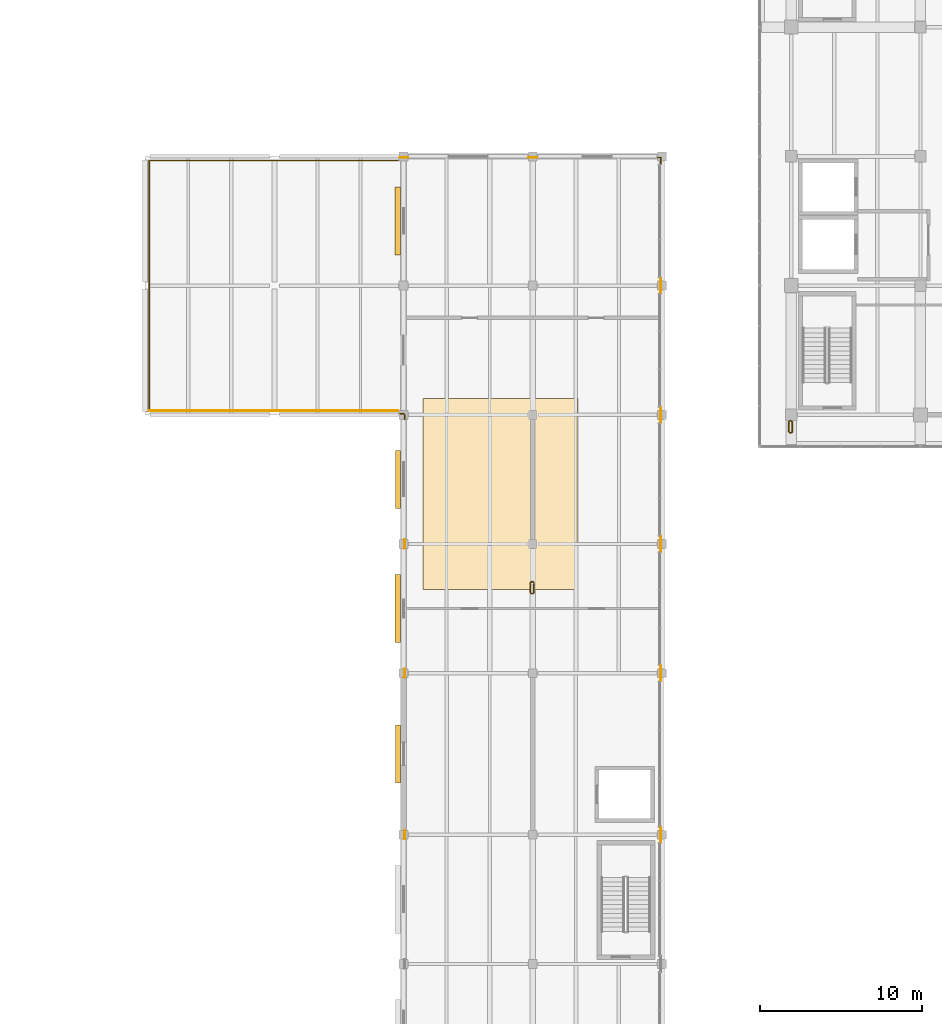
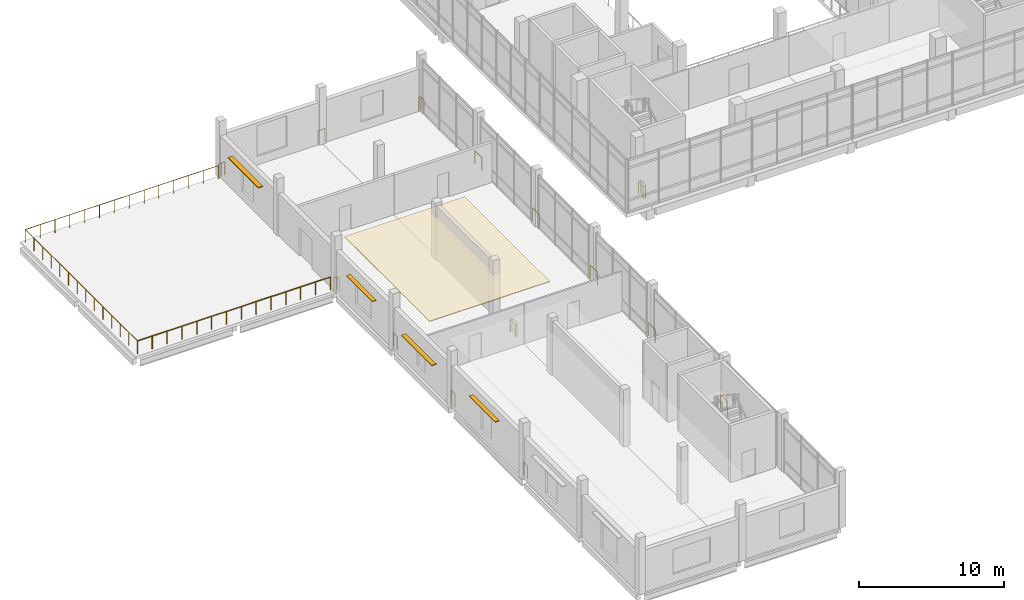
# One storey, part 41 of 47: 16 railings, 4 shading devices, 1 covering.
"""IFC4 building model written with IfcOpenShell, lengths in metres."""

import ifcopenshell
import ifcopenshell.guid

model = None  # the IFC model being written
_history = None  # IfcOwnerHistory: only IFC2X3 demands one
_inside = {}  # id of a spatial element -> (the spatial element, [elements in it])
_under = {}  # id of a project, library or spatial element -> (it, [spatial elements below it])
_declared = {}  # id of a project -> (the project, [libraries it declares])
_typed = {}  # id of a type object -> (the type object, [elements of that type])
_made_of = {}  # id of a material, layer set ... -> (it, [elements and type objects made of it])


def new_model(schema):
    """Start an empty IFC model of exactly this schema.

    Asked for "IFC4X3", IfcOpenShell would pick the latest addendum, in which some entities
    have other attributes; the version numbers below select the first issue.
    IFC2X3 requires an IfcOwnerHistory on every rooted entity: one is made here for all.
    """
    global model, _history
    if schema == "IFC4X3":
        model = ifcopenshell.file(schema_version=(4, 3, 0, 0))
    else:
        model = ifcopenshell.file(schema=schema)
    _inside.clear()
    _under.clear()
    _declared.clear()
    _typed.clear()
    _made_of.clear()
    _history = None
    if model.schema == "IFC2X3":
        org = make("IfcOrganization", Name="unknown")
        user = make(
            "IfcPersonAndOrganization",
            ThePerson=make("IfcPerson", FamilyName="unknown"),
            TheOrganization=org,
        )
        app = make(
            "IfcApplication",
            ApplicationDeveloper=org,
            Version="unknown",
            ApplicationFullName="unknown",
            ApplicationIdentifier="unknown",
        )
        _history = make(
            "IfcOwnerHistory",
            OwningUser=user,
            OwningApplication=app,
            ChangeAction="ADDED",
            CreationDate=0,
        )
    return model


def make(cls, **values):
    """One entity of the class cls with the attributes given. An attribute that is None is left unset."""
    return model.create_entity(
        cls, **{name: value for name, value in values.items() if value is not None}
    )


def rooted(cls, **values):
    """An entity with a GlobalId (a new one), such as an element, a storey or a relation."""
    return make(cls, GlobalId=ifcopenshell.guid.new(), OwnerHistory=_history, **values)


def si_unit(unit_type, name, prefix=None):
    """IfcSIUnit, for example si_unit("LENGTHUNIT", "METRE", prefix="MILLI")."""
    return make("IfcSIUnit", UnitType=unit_type, Prefix=prefix, Name=name)


def assignment(units):
    """IfcUnitAssignment: the units of a project."""
    return None if units is None else make("IfcUnitAssignment", Units=units)


def point(xyz):
    """IfcCartesianPoint."""
    return None if xyz is None else make("IfcCartesianPoint", Coordinates=xyz)


def direction(xyz):
    """IfcDirection."""
    return None if xyz is None else make("IfcDirection", DirectionRatios=xyz)


def frame(location, z_axis=None, x_axis=None):
    """IfcAxis2Placement3D, a coordinate frame: its origin and axes. An axis left out is left unset."""
    return make(
        "IfcAxis2Placement3D",
        Location=point(location),
        Axis=direction(z_axis),
        RefDirection=direction(x_axis),
    )


def frame_2d(location, x_axis=None):
    """IfcAxis2Placement2D, a coordinate frame in the plane: its origin and x axis."""
    return make(
        "IfcAxis2Placement2D", Location=point(location), RefDirection=direction(x_axis)
    )


def origin():
    """The frame at (0, 0, 0) with its axes left unset."""
    return frame((0.0, 0.0, 0.0))


def origin_2d():
    """The frame at (0, 0) in the plane with its x axis left unset."""
    return frame_2d((0.0, 0.0))


def place(relative_to, where):
    """IfcLocalPlacement: puts the frame where relative to a parent placement (None: the world)."""
    return make(
        "IfcLocalPlacement", PlacementRelTo=relative_to, RelativePlacement=where
    )


def context(
    kind, dimensions, precision=None, world=None, true_north=None, identifier=None
):
    """IfcGeometricRepresentationContext, for example the 3D "Model" context."""
    return make(
        "IfcGeometricRepresentationContext",
        ContextIdentifier=identifier,
        ContextType=kind,
        CoordinateSpaceDimension=dimensions,
        Precision=precision,
        WorldCoordinateSystem=world,
        TrueNorth=true_north,
    )


def subcontext(parent, identifier, kind, view, scale=None):
    """IfcGeometricRepresentationSubContext, for example "Body" below "Model"."""
    return make(
        "IfcGeometricRepresentationSubContext",
        ContextIdentifier=identifier,
        ContextType=kind,
        ParentContext=parent,
        TargetScale=scale,
        TargetView=view,
    )


def project(units=None, contexts=None):
    """IfcProject with its units and contexts."""
    return rooted(
        "IfcProject",
        Name="project",
        RepresentationContexts=contexts,
        UnitsInContext=assignment(units),
    )


def spatial(cls, under=None, at=None, **own):
    """A site, building, storey or space (cls), placed at a placement, below another one or the project."""
    s = rooted(cls, ObjectPlacement=at, **own)
    if under is not None:
        _under.setdefault(under.id(), (under, []))[1].append(s)
    return s


def polyline(points):
    """IfcPolyline through the points."""
    return make("IfcPolyline", Points=[point(p) for p in points])


def profile(cls, at=None, kind="AREA", **sizes):
    """A parametric profile (cls). Its sizes go by their IFC names, for example OverallWidth=200.0."""
    return make(cls, ProfileType=kind, Position=at, **sizes)


def rectangle(**sizes):
    """IfcRectangleProfileDef."""
    return profile("IfcRectangleProfileDef", **sizes)


def circle(**sizes):
    """IfcCircleProfileDef."""
    return profile("IfcCircleProfileDef", **sizes)


def outline(outer, holes=None, kind="AREA"):
    """IfcArbitraryClosedProfileDef: a profile drawn as a closed curve; with holes, ...WithVoids."""
    if holes is None:
        return make("IfcArbitraryClosedProfileDef", ProfileType=kind, OuterCurve=outer)
    return make(
        "IfcArbitraryProfileDefWithVoids",
        ProfileType=kind,
        OuterCurve=outer,
        InnerCurves=holes,
    )


def extrude(swept, where, along, depth):
    """IfcExtrudedAreaSolid: the profile swept, set in the frame where, extruded along a direction by depth."""
    return make(
        "IfcExtrudedAreaSolid",
        SweptArea=swept,
        Position=where,
        ExtrudedDirection=direction(along),
        Depth=depth,
    )


def shape(context_of_items, identifier, shape_type, items):
    """IfcShapeRepresentation: the items that make up one representation, for example the "Body"."""
    return make(
        "IfcShapeRepresentation",
        ContextOfItems=context_of_items,
        RepresentationIdentifier=identifier,
        RepresentationType=shape_type,
        Items=items,
    )


def material(Name=None, Category=None):
    """IfcMaterial."""
    return make("IfcMaterial", Name=Name, Category=Category)


def layer(
    of_material, thickness, ventilated=None, Name=None, Category=None, Priority=None
):
    """IfcMaterialLayer: one layer of a wall or slab, of a material (None: an air gap)."""
    return make(
        "IfcMaterialLayer",
        Material=of_material,
        LayerThickness=thickness,
        IsVentilated=ventilated,
        Name=Name,
        Category=Category,
        Priority=Priority,
    )


def layer_set(layers, Name=None):
    """IfcMaterialLayerSet."""
    return make("IfcMaterialLayerSet", MaterialLayers=layers, LayerSetName=Name)


def made_of(thing, what):
    """Note that an element or type object is made of a material, layer set ...; save() writes the relation."""
    if what is not None:
        _made_of.setdefault(what.id(), (what, []))[1].append(thing)
    return thing


def type_object(cls, material=None, **own):
    """A type object (cls), such as IfcWallType, which elements share."""
    return made_of(rooted(cls, **own), material)


def element(
    cls,
    number,
    at=None,
    inside=None,
    cuts=None,
    type_object=None,
    material=None,
    context=None,
    identifier="Body",
    shape_type=None,
    held_by="IfcProductDefinitionShape",
    body=None,
    shapes=None,
    **own,
):
    """One element of the class cls, such as IfcWall. Its Tag is "e" and its number.

    at: its placement. inside: the storey or other place that contains it. cuts: it is an
    opening in that element (IfcRelVoidsElement). A single representation is given by context,
    identifier, shape_type and body (its items); several are given by shapes. held_by: the class
    of the entity that holds the representations. save() writes the other relations.
    """
    e = rooted(cls, Tag="e%d" % number, ObjectPlacement=at, **own)
    if body is not None:
        shapes = [shape(context, identifier, shape_type, body)]
    if shapes is not None:
        e.Representation = make(held_by, Representations=shapes)
    if inside is not None:
        _inside.setdefault(inside.id(), (inside, []))[1].append(e)
    if cuts is not None:
        rooted(
            "IfcRelVoidsElement", RelatingBuildingElement=cuts, RelatedOpeningElement=e
        )
    if type_object is not None:
        _typed.setdefault(type_object.id(), (type_object, []))[1].append(e)
    return made_of(e, material)


def aggregate(whole, parts):
    """IfcRelAggregates: a whole, such as a stair, and the parts it consists of."""
    return rooted("IfcRelAggregates", RelatingObject=whole, RelatedObjects=parts)


def save(model, path):
    """Write the relations noted so far, then the file.

    IfcRelAggregates (storeys below a building ...), IfcRelContainedInSpatialStructure (elements
    in a storey), IfcRelDefinesByType, IfcRelAssociatesMaterial and IfcRelDeclares: one each for
    every whole, place, type object, material and project.
    """
    for whole, parts in _under.values():
        aggregate(whole, parts)
    for where, things in _inside.values():
        rooted(
            "IfcRelContainedInSpatialStructure",
            RelatedElements=things,
            RelatingStructure=where,
        )
    for kind, things in _typed.values():
        rooted("IfcRelDefinesByType", RelatedObjects=things, RelatingType=kind)
    for what, things in _made_of.values():
        rooted("IfcRelAssociatesMaterial", RelatedObjects=things, RelatingMaterial=what)
    for by, libraries in _declared.values():
        rooted("IfcRelDeclares", RelatingContext=by, RelatedDefinitions=libraries)
    model.write(path)


model = new_model("IFC4")

# Units and contexts
model_context = context("Model", 3, precision=1e-05, world=origin(), true_north=direction((0.0, 1.0)))
body_context = subcontext(model_context, "Body", "Model", "MODEL_VIEW")
ifc_project = project(units=[si_unit("LENGTHUNIT", "METRE"), si_unit("AREAUNIT", "SQUARE_METRE"), si_unit("VOLUMEUNIT", "CUBIC_METRE"), si_unit("PLANEANGLEUNIT", "RADIAN"), si_unit("MASSUNIT", "GRAM", prefix="KILO")], contexts=[model_context])

# Site, building, storey
site_placement = place(None, origin())
site = spatial("IfcSite", under=ifc_project, at=site_placement, CompositionType="ELEMENT")
building_placement = place(site_placement, origin())
building = spatial("IfcBuilding", under=site, at=building_placement, Name="Pecanmere Concourse Central Library", CompositionType="ELEMENT")
storey_placement = place(building_placement, frame((0.0, 0.0, 15.300048828125)))
storey = spatial("IfcBuildingStorey", under=building, at=storey_placement, Name="L04", CompositionType="ELEMENT", Elevation=15.300048828125)

# Covering
ifc_material_1 = material(Name="Solid white oak architectural joinery")
ifc_layer = layer(ifc_material_1, 0.054931640625, Name="COV_CEIL_OAK_COFF")
ifc_layer_set = layer_set([ifc_layer], Name="Solid white oak architectural joinery")
covering_type = type_object("IfcCoveringType", Name="COV_CEIL_OAK_COFF", PredefinedType="CEILING", material=ifc_layer_set)
covering_placement = place(storey_placement, frame((0.0, 0.0, 3.469970703125)))
element("IfcCovering", 1, at=covering_placement, inside=storey, type_object=covering_type, Name="Acoustic Coffered Ceiling L04-019", PredefinedType="CEILING", context=body_context, shape_type="SweptSolid", body=[
    extrude(outline(polyline([(49.199951171875, 79.199951171875), (58.800048828125, 79.199951171875), (58.800048828125, 91.0), (49.199951171875, 91.0), (49.199951171875, 79.199951171875)])), origin(), (0.0, 0.0, 1.0), 0.054931640625),
])

# Railings
ifc_material_2 = material(Name="Architectural anodized bronze")
railing_type_1 = type_object("IfcRailingType", Name="RAIL_ATRIUM_BAL", PredefinedType="BALUSTRADE", material=ifc_material_2)
railing_1_placement = place(storey_placement, frame((71.923095703125, 89.628173828125, 0.0)))
element("IfcRailing", 2, at=railing_1_placement, inside=storey, type_object=railing_type_1, Name="Deck Edge Protective Balustrade L04-178", PredefinedType="BALUSTRADE", context=body_context, shape_type="SweptSolid", body=[
    extrude(circle(Radius=0.02392578125, at=origin_2d()), frame((0.0, 0.0, 1.09619140625), z_axis=(-0.806311430369, -0.591491231767, 0.0), x_axis=(0.591491231767, -0.806311430369, 0.0)), (0.0, 0.0, 1.0), 0.0830078125),
    extrude(circle(Radius=0.02392578125, at=origin_2d()), frame((-0.06689453125, -0.049072265625, 1.09619140625), z_axis=(-0.009489489668, -0.999954973779, 0.0), x_axis=(0.999954973779, -0.009489489668, 0.0)), (0.0, 0.0, 1.0), 0.617431640625),
    extrude(circle(Radius=0.02392578125, at=origin_2d()), frame((-0.07275390625, -0.66650390625, 1.09619140625), z_axis=(0.591491231767, -0.806311430369, 0.0), x_axis=(0.806311430369, 0.591491231767, 0.0)), (0.0, 0.0, 1.0), 0.0830078125),
    extrude(circle(Radius=0.02392578125, at=origin_2d()), frame((-0.023681640625, -0.7333984375, 1.09619140625), z_axis=(0.998195860289, -0.060041856258, 0.0), x_axis=(0.060041856258, 0.998195860289, 0.0)), (0.0, 0.0, 1.0), 0.09765625),
    extrude(circle(Radius=0.02392578125, at=origin_2d()), frame((0.07373046875, -0.7392578125, 1.09619140625), z_axis=(0.806311430369, 0.591491231767, 0.0), x_axis=(-0.591491231767, 0.806311430369, 0.0)), (0.0, 0.0, 1.0), 0.0830078125),
    extrude(circle(Radius=0.02392578125, at=origin_2d()), frame((0.140625, -0.690185546875, 1.09619140625), z_axis=(0.009489489668, 0.999954973779, 0.0), x_axis=(-0.999954973779, 0.009489489668, 0.0)), (0.0, 0.0, 1.0), 0.617431640625),
    extrude(circle(Radius=0.02392578125, at=origin_2d()), frame((0.146484375, -0.07275390625, 1.09619140625), z_axis=(-0.591491231767, 0.806311430369, 0.0), x_axis=(-0.806311430369, -0.591491231767, 0.0)), (0.0, 0.0, 1.0), 0.0830078125),
    extrude(circle(Radius=0.02392578125, at=origin_2d()), frame((0.097412109375, -0.005859375, 1.09619140625), z_axis=(-0.998195860289, 0.060041856258, 0.0), x_axis=(-0.060041856258, -0.998195860289, 0.0)), (0.0, 0.0, 1.0), 0.09765625),
    extrude(circle(Radius=0.02099609375, at=origin_2d()), origin(), (0.0, 0.0, 1.0), 1.072021484375),
    extrude(circle(Radius=0.02099609375, at=origin_2d()), frame((-0.06689453125, -0.049072265625, 0.0)), (0.0, 0.0, 1.0), 1.072021484375),
    extrude(circle(Radius=0.02099609375, at=origin_2d()), frame((-0.07275390625, -0.66650390625, 0.0)), (0.0, 0.0, 1.0), 1.072021484375),
    extrude(circle(Radius=0.02099609375, at=origin_2d()), frame((-0.023681640625, -0.7333984375, 0.0)), (0.0, 0.0, 1.0), 1.072021484375),
    extrude(circle(Radius=0.02099609375, at=origin_2d()), frame((0.07373046875, -0.7392578125, 0.0)), (0.0, 0.0, 1.0), 1.072021484375),
    extrude(circle(Radius=0.02099609375, at=origin_2d()), frame((0.140625, -0.690185546875, 0.0)), (0.0, 0.0, 1.0), 1.072021484375),
    extrude(circle(Radius=0.02099609375, at=origin_2d()), frame((0.146484375, -0.07275390625, 0.0)), (0.0, 0.0, 1.0), 1.072021484375),
    extrude(circle(Radius=0.02099609375, at=origin_2d()), frame((0.097412109375, -0.005859375, 0.0)), (0.0, 0.0, 1.0), 1.072021484375),
])
railing_2_placement = place(storey_placement, frame((47.78515625, 105.925048828125, 0.0)))
element("IfcRailing", 3, at=railing_2_placement, inside=storey, type_object=railing_type_1, Name="Deck Edge Protective Balustrade L04-179", PredefinedType="BALUSTRADE", context=body_context, shape_type="SweptSolid", body=[
    extrude(circle(Radius=0.02392578125, at=origin_2d()), frame((0.0, 0.0, 1.09619140625), z_axis=(0.999999340927, 0.001148104869, 0.0), x_axis=(-0.001148104869, 0.999999340927, 0.0)), (0.0, 0.0, 1.0), 0.212646484375),
    extrude(circle(Radius=0.02392578125, at=origin_2d()), frame((0.212646484375, 0.000244140625, 1.09619140625), z_axis=(0.999854844698, 0.017037885246, 0.0), x_axis=(-0.017037885246, 0.999854844698, 0.0)), (0.0, 0.0, 1.0), 0.272216796875),
    extrude(circle(Radius=0.02099609375, at=origin_2d()), origin(), (0.0, 0.0, 1.0), 1.072021484375),
    extrude(circle(Radius=0.02099609375, at=origin_2d()), frame((0.212646484375, 0.000244140625, 0.0)), (0.0, 0.0, 1.0), 1.072021484375),
    extrude(circle(Radius=0.02099609375, at=origin_2d()), frame((0.48486328125, 0.0048828125, 0.0)), (0.0, 0.0, 1.0), 1.072021484375),
])
railing_3_placement = place(storey_placement, frame((55.72998046875, 105.929931640625, 0.0)))
element("IfcRailing", 4, at=railing_3_placement, inside=storey, type_object=railing_type_1, Name="Deck Edge Protective Balustrade L04-180", PredefinedType="BALUSTRADE", context=body_context, shape_type="SweptSolid", body=[
    extrude(circle(Radius=0.02392578125, at=origin_2d()), frame((0.0, 0.0, 1.09619140625), z_axis=(1.0, 0.0, 0.0), x_axis=(0.0, 1.0, 0.0)), (0.0, 0.0, 1.0), 0.5400390625),
    extrude(circle(Radius=0.02099609375, at=origin_2d()), origin(), (0.0, 0.0, 1.0), 1.072021484375),
    extrude(circle(Radius=0.02099609375, at=origin_2d()), frame((0.5400390625, 0.0, 0.0)), (0.0, 0.0, 1.0), 1.072021484375),
])
railing_4_placement = place(storey_placement, frame((63.72998046875, 105.929931640625, 0.0)))
element("IfcRailing", 5, at=railing_4_placement, inside=storey, type_object=railing_type_1, Name="Deck Edge Protective Balustrade L04-181", PredefinedType="BALUSTRADE", context=body_context, shape_type="SweptSolid", body=[
    extrude(circle(Radius=0.02392578125, at=origin_2d()), frame((0.0, 0.0, 1.09619140625), z_axis=(1.0, 0.0, 0.0), x_axis=(0.0, 1.0, 0.0)), (0.0, 0.0, 1.0), 0.19970703125),
    extrude(circle(Radius=0.02392578125, at=origin_2d()), frame((0.19970703125, 0.0, 1.09619140625), z_axis=(0.0, -1.0, 0.0), x_axis=(1.0, 0.0, 0.0)), (0.0, 0.0, 1.0), 0.409912109375),
    extrude(circle(Radius=0.02099609375, at=origin_2d()), origin(), (0.0, 0.0, 1.0), 1.072021484375),
    extrude(circle(Radius=0.02099609375, at=origin_2d()), frame((0.19970703125, 0.0, 0.0)), (0.0, 0.0, 1.0), 1.072021484375),
    extrude(circle(Radius=0.02099609375, at=origin_2d()), frame((0.19970703125, -0.409912109375, 0.0)), (0.0, 0.0, 1.0), 1.072021484375),
])
for number, where, name in (
    (6, (63.9296875, 98.47998046875, 0.0), "Deck Edge Protective Balustrade L04-182"),
    (7, (63.929931640625, 90.47998046875, 0.0), "Deck Edge Protective Balustrade L04-183"),
    (8, (63.929931640625, 82.47998046875, 0.0), "Deck Edge Protective Balustrade L04-184"),
    (9, (63.9296875, 74.47998046875, 0.0), "Deck Edge Protective Balustrade L04-185"),
    (10, (63.929931640625, 64.47998046875, 0.0), "Deck Edge Protective Balustrade L04-186"),
):
    element("IfcRailing", number, at=place(storey_placement, frame(where)), inside=storey, type_object=railing_type_1, Name=name, PredefinedType="BALUSTRADE", context=body_context, shape_type="SweptSolid", body=[
        extrude(circle(Radius=0.02392578125, at=origin_2d()), frame((0.0, 0.0, 1.09619140625), z_axis=(0.0, -1.0, 0.0), x_axis=(1.0, 0.0, 0.0)), (0.0, 0.0, 1.0), 0.9599609375),
        extrude(circle(Radius=0.02099609375, at=origin_2d()), origin(), (0.0, 0.0, 1.0), 1.072021484375),
        extrude(circle(Radius=0.02099609375, at=origin_2d()), frame((0.0, -0.9599609375, 0.0)), (0.0, 0.0, 1.0), 1.072021484375),
    ])
for number, where, name in (
    (11, (48.0703125, 63.72998046875, 0.0), "Deck Edge Protective Balustrade L04-192"),
    (12, (48.070068359375, 73.72998046875, 0.0), "Deck Edge Protective Balustrade L04-193"),
    (13, (48.070068359375, 81.72998046875, 0.0), "Deck Edge Protective Balustrade L04-194"),
):
    element("IfcRailing", number, at=place(storey_placement, frame(where)), inside=storey, type_object=railing_type_1, Name=name, PredefinedType="BALUSTRADE", context=body_context, shape_type="SweptSolid", body=[
        extrude(circle(Radius=0.02392578125, at=origin_2d()), frame((0.0, 0.0, 1.09619140625), z_axis=(0.0, 1.0, 0.0), x_axis=(-1.0, 0.0, 0.0)), (0.0, 0.0, 1.0), 0.5400390625),
        extrude(circle(Radius=0.02099609375, at=origin_2d()), origin(), (0.0, 0.0, 1.0), 1.072021484375),
        extrude(circle(Radius=0.02099609375, at=origin_2d()), frame((0.0, 0.5400390625, 0.0)), (0.0, 0.0, 1.0), 1.072021484375),
    ])
railing_5_placement = place(storey_placement, frame((48.070068359375, 89.72998046875, 0.0)))
element("IfcRailing", 14, at=railing_5_placement, inside=storey, type_object=railing_type_1, Name="Deck Edge Protective Balustrade L04-195", PredefinedType="BALUSTRADE", context=body_context, shape_type="SweptSolid", body=[
    extrude(circle(Radius=0.02392578125, at=origin_2d()), frame((0.0, 0.0, 1.09619140625), z_axis=(-0.001795329243, 0.999998388395, 0.0), x_axis=(-0.999998388395, -0.001795329243, 0.0)), (0.0, 0.0, 1.0), 0.27197265625),
    extrude(circle(Radius=0.02392578125, at=origin_2d()), frame((-0.00048828125, 0.27197265625, 1.09619140625), z_axis=(-0.591491231767, 0.806311430369, 0.0), x_axis=(-0.806311430369, -0.591491231767, 0.0)), (0.0, 0.0, 1.0), 0.0830078125),
    extrude(circle(Radius=0.02392578125, at=origin_2d()), frame((-0.049560546875, 0.3388671875, 1.09619140625), z_axis=(-0.999663893465, 0.025924893503, 0.0), x_axis=(-0.025924893503, -0.999663893465, 0.0)), (0.0, 0.0, 1.0), 0.2353515625),
    extrude(circle(Radius=0.02099609375, at=origin_2d()), origin(), (0.0, 0.0, 1.0), 1.072021484375),
    extrude(circle(Radius=0.02099609375, at=origin_2d()), frame((-0.00048828125, 0.27197265625, 0.0)), (0.0, 0.0, 1.0), 1.072021484375),
    extrude(circle(Radius=0.02099609375, at=origin_2d()), frame((-0.049560546875, 0.3388671875, 0.0)), (0.0, 0.0, 1.0), 1.072021484375),
    extrude(circle(Radius=0.02099609375, at=origin_2d()), frame((-0.284912109375, 0.344970703125, 0.0)), (0.0, 0.0, 1.0), 1.072021484375),
])
railing_6_placement = place(storey_placement, frame((55.850341796875, 79.003173828125, 0.0)))
element("IfcRailing", 15, at=railing_6_placement, inside=storey, type_object=railing_type_1, Name="Deck Edge Protective Balustrade L04-197", PredefinedType="BALUSTRADE", context=body_context, shape_type="SweptSolid", body=[
    extrude(circle(Radius=0.02392578125, at=origin_2d()), frame((0.0, 0.0, 1.09619140625), z_axis=(0.591491231767, -0.806311430369, 0.0), x_axis=(0.806311430369, 0.591491231767, 0.0)), (0.0, 0.0, 1.0), 0.0830078125),
    extrude(circle(Radius=0.02392578125, at=origin_2d()), frame((0.049072265625, -0.06689453125, 1.09619140625), z_axis=(0.998195860289, -0.060041856258, 0.0), x_axis=(0.060041856258, 0.998195860289, 0.0)), (0.0, 0.0, 1.0), 0.09765625),
    extrude(circle(Radius=0.02392578125, at=origin_2d()), frame((0.146484375, -0.07275390625, 1.09619140625), z_axis=(0.806311430369, 0.591491231767, 0.0), x_axis=(-0.591491231767, 0.806311430369, 0.0)), (0.0, 0.0, 1.0), 0.0830078125),
    extrude(circle(Radius=0.02392578125, at=origin_2d()), frame((0.21337890625, -0.023681640625, 1.09619140625), z_axis=(0.009489489668, 0.999954973779, 0.0), x_axis=(-0.999954973779, 0.009489489668, 0.0)), (0.0, 0.0, 1.0), 0.617431640625),
    extrude(circle(Radius=0.02392578125, at=origin_2d()), frame((0.21923828125, 0.59375, 1.09619140625), z_axis=(-0.591491231767, 0.806311430369, 0.0), x_axis=(-0.806311430369, -0.591491231767, 0.0)), (0.0, 0.0, 1.0), 0.0830078125),
    extrude(circle(Radius=0.02392578125, at=origin_2d()), frame((0.170166015625, 0.66064453125, 1.09619140625), z_axis=(-0.998195860289, 0.060041856258, 0.0), x_axis=(-0.060041856258, -0.998195860289, 0.0)), (0.0, 0.0, 1.0), 0.09765625),
    extrude(circle(Radius=0.02392578125, at=origin_2d()), frame((0.07275390625, 0.66650390625, 1.09619140625), z_axis=(-0.806311430369, -0.591491231767, 0.0), x_axis=(0.591491231767, -0.806311430369, 0.0)), (0.0, 0.0, 1.0), 0.0830078125),
    extrude(circle(Radius=0.02392578125, at=origin_2d()), frame((0.005859375, 0.617431640625, 1.09619140625), z_axis=(-0.009489489668, -0.999954973779, 0.0), x_axis=(0.999954973779, -0.009489489668, 0.0)), (0.0, 0.0, 1.0), 0.617431640625),
    extrude(circle(Radius=0.02099609375, at=origin_2d()), origin(), (0.0, 0.0, 1.0), 1.072021484375),
    extrude(circle(Radius=0.02099609375, at=origin_2d()), frame((0.049072265625, -0.06689453125, 0.0)), (0.0, 0.0, 1.0), 1.072021484375),
    extrude(circle(Radius=0.02099609375, at=origin_2d()), frame((0.146484375, -0.07275390625, 0.0)), (0.0, 0.0, 1.0), 1.072021484375),
    extrude(circle(Radius=0.02099609375, at=origin_2d()), frame((0.21337890625, -0.023681640625, 0.0)), (0.0, 0.0, 1.0), 1.072021484375),
    extrude(circle(Radius=0.02099609375, at=origin_2d()), frame((0.21923828125, 0.59375, 0.0)), (0.0, 0.0, 1.0), 1.072021484375),
    extrude(circle(Radius=0.02099609375, at=origin_2d()), frame((0.170166015625, 0.66064453125, 0.0)), (0.0, 0.0, 1.0), 1.072021484375),
    extrude(circle(Radius=0.02099609375, at=origin_2d()), frame((0.07275390625, 0.66650390625, 0.0)), (0.0, 0.0, 1.0), 1.072021484375),
    extrude(circle(Radius=0.02099609375, at=origin_2d()), frame((0.005859375, 0.617431640625, 0.0)), (0.0, 0.0, 1.0), 1.072021484375),
])
ifc_material_3 = material(Name="Architectural anodized bronze")
railing_type_2 = type_object("IfcRailingType", Name="RAIL_TERR_1120", PredefinedType="BALUSTRADE", material=ifc_material_3)
railing_7_placement = place(storey_placement, frame((32.25, 90.25, 0.0)))
element("IfcRailing", 16, at=railing_7_placement, inside=storey, type_object=railing_type_2, Name="Terrace Protective Balustrade GR-002", PredefinedType="BALUSTRADE", context=body_context, shape_type="SweptSolid", body=[
    extrude(circle(Radius=0.02392578125, at=origin_2d()), frame((0.0, 0.0, 1.09619140625), z_axis=(0.0, 1.0, 0.0), x_axis=(-1.0, 0.0, 0.0)), (0.0, 0.0, 1.0), 15.5),
    extrude(circle(Radius=0.02392578125, at=origin_2d()), frame((0.0, 15.5, 1.09619140625), z_axis=(1.0, 0.0, 0.0), x_axis=(0.0, 1.0, 0.0)), (0.0, 0.0, 1.0), 15.39990234375),
    extrude(circle(Radius=0.02099609375, at=origin_2d()), origin(), (0.0, 0.0, 1.0), 1.072021484375),
    extrude(circle(Radius=0.02099609375, at=origin_2d()), frame((0.0, 1.1923828125, 0.0)), (0.0, 0.0, 1.0), 1.072021484375),
    extrude(circle(Radius=0.02099609375, at=origin_2d()), frame((0.0, 2.384521484375, 0.0)), (0.0, 0.0, 1.0), 1.072021484375),
    extrude(circle(Radius=0.02099609375, at=origin_2d()), frame((0.0, 3.576904296875, 0.0)), (0.0, 0.0, 1.0), 1.072021484375),
    extrude(circle(Radius=0.02099609375, at=origin_2d()), frame((0.0, 4.769287109375, 0.0)), (0.0, 0.0, 1.0), 1.072021484375),
    extrude(circle(Radius=0.02099609375, at=origin_2d()), frame((0.0, 5.96142578125, 0.0)), (0.0, 0.0, 1.0), 1.072021484375),
    extrude(circle(Radius=0.02099609375, at=origin_2d()), frame((0.0, 7.15380859375, 0.0)), (0.0, 0.0, 1.0), 1.072021484375),
    extrude(circle(Radius=0.02099609375, at=origin_2d()), frame((0.0, 8.34619140625, 0.0)), (0.0, 0.0, 1.0), 1.072021484375),
    extrude(circle(Radius=0.02099609375, at=origin_2d()), frame((0.0, 9.53857421875, 0.0)), (0.0, 0.0, 1.0), 1.072021484375),
    extrude(circle(Radius=0.02099609375, at=origin_2d()), frame((0.0, 10.730712890625, 0.0)), (0.0, 0.0, 1.0), 1.072021484375),
    extrude(circle(Radius=0.02099609375, at=origin_2d()), frame((0.0, 11.923095703125, 0.0)), (0.0, 0.0, 1.0), 1.072021484375),
    extrude(circle(Radius=0.02099609375, at=origin_2d()), frame((0.0, 13.115478515625, 0.0)), (0.0, 0.0, 1.0), 1.072021484375),
    extrude(circle(Radius=0.02099609375, at=origin_2d()), frame((0.0, 14.3076171875, 0.0)), (0.0, 0.0, 1.0), 1.072021484375),
    extrude(circle(Radius=0.02099609375, at=origin_2d()), frame((0.0, 15.5, 0.0)), (0.0, 0.0, 1.0), 1.072021484375),
    extrude(circle(Radius=0.02099609375, at=origin_2d()), frame((1.1845703125, 15.5, 0.0)), (0.0, 0.0, 1.0), 1.072021484375),
    extrude(circle(Radius=0.02099609375, at=origin_2d()), frame((2.369140625, 15.5, 0.0)), (0.0, 0.0, 1.0), 1.072021484375),
    extrude(circle(Radius=0.02099609375, at=origin_2d()), frame((3.5537109375, 15.5, 0.0)), (0.0, 0.0, 1.0), 1.072021484375),
    extrude(circle(Radius=0.02099609375, at=origin_2d()), frame((4.738525390625, 15.5, 0.0)), (0.0, 0.0, 1.0), 1.072021484375),
    extrude(circle(Radius=0.02099609375, at=origin_2d()), frame((5.923095703125, 15.5, 0.0)), (0.0, 0.0, 1.0), 1.072021484375),
    extrude(circle(Radius=0.02099609375, at=origin_2d()), frame((7.107666015625, 15.5, 0.0)), (0.0, 0.0, 1.0), 1.072021484375),
    extrude(circle(Radius=0.02099609375, at=origin_2d()), frame((8.292236328125, 15.5, 0.0)), (0.0, 0.0, 1.0), 1.072021484375),
    extrude(circle(Radius=0.02099609375, at=origin_2d()), frame((9.476806640625, 15.5, 0.0)), (0.0, 0.0, 1.0), 1.072021484375),
    extrude(circle(Radius=0.02099609375, at=origin_2d()), frame((10.661376953125, 15.5, 0.0)), (0.0, 0.0, 1.0), 1.072021484375),
    extrude(circle(Radius=0.02099609375, at=origin_2d()), frame((11.84619140625, 15.5, 0.0)), (0.0, 0.0, 1.0), 1.072021484375),
    extrude(circle(Radius=0.02099609375, at=origin_2d()), frame((13.03076171875, 15.5, 0.0)), (0.0, 0.0, 1.0), 1.072021484375),
    extrude(circle(Radius=0.02099609375, at=origin_2d()), frame((14.21533203125, 15.5, 0.0)), (0.0, 0.0, 1.0), 1.072021484375),
    extrude(circle(Radius=0.02099609375, at=origin_2d()), frame((15.39990234375, 15.5, 0.0)), (0.0, 0.0, 1.0), 1.072021484375),
])
railing_8_placement = place(storey_placement, frame((32.25, 90.25, 0.0)))
element("IfcRailing", 17, at=railing_8_placement, inside=storey, type_object=railing_type_2, Name="Terrace Protective Balustrade GR-003", PredefinedType="BALUSTRADE", context=body_context, shape_type="SweptSolid", body=[
    extrude(circle(Radius=0.02392578125, at=origin_2d()), frame((0.0, 0.0, 1.09619140625), z_axis=(1.0, 0.0, 0.0), x_axis=(0.0, 1.0, 0.0)), (0.0, 0.0, 1.0), 15.39990234375),
    extrude(circle(Radius=0.02099609375, at=origin_2d()), origin(), (0.0, 0.0, 1.0), 1.072021484375),
    extrude(circle(Radius=0.02099609375, at=origin_2d()), frame((1.1845703125, 0.0, 0.0)), (0.0, 0.0, 1.0), 1.072021484375),
    extrude(circle(Radius=0.02099609375, at=origin_2d()), frame((2.369140625, 0.0, 0.0)), (0.0, 0.0, 1.0), 1.072021484375),
    extrude(circle(Radius=0.02099609375, at=origin_2d()), frame((3.5537109375, 0.0, 0.0)), (0.0, 0.0, 1.0), 1.072021484375),
    extrude(circle(Radius=0.02099609375, at=origin_2d()), frame((4.738525390625, 0.0, 0.0)), (0.0, 0.0, 1.0), 1.072021484375),
    extrude(circle(Radius=0.02099609375, at=origin_2d()), frame((5.923095703125, 0.0, 0.0)), (0.0, 0.0, 1.0), 1.072021484375),
    extrude(circle(Radius=0.02099609375, at=origin_2d()), frame((7.107666015625, 0.0, 0.0)), (0.0, 0.0, 1.0), 1.072021484375),
    extrude(circle(Radius=0.02099609375, at=origin_2d()), frame((8.292236328125, 0.0, 0.0)), (0.0, 0.0, 1.0), 1.072021484375),
    extrude(circle(Radius=0.02099609375, at=origin_2d()), frame((9.476806640625, 0.0, 0.0)), (0.0, 0.0, 1.0), 1.072021484375),
    extrude(circle(Radius=0.02099609375, at=origin_2d()), frame((10.661376953125, 0.0, 0.0)), (0.0, 0.0, 1.0), 1.072021484375),
    extrude(circle(Radius=0.02099609375, at=origin_2d()), frame((11.84619140625, 0.0, 0.0)), (0.0, 0.0, 1.0), 1.072021484375),
    extrude(circle(Radius=0.02099609375, at=origin_2d()), frame((13.03076171875, 0.0, 0.0)), (0.0, 0.0, 1.0), 1.072021484375),
    extrude(circle(Radius=0.02099609375, at=origin_2d()), frame((14.21533203125, 0.0, 0.0)), (0.0, 0.0, 1.0), 1.072021484375),
    extrude(circle(Radius=0.02099609375, at=origin_2d()), frame((15.39990234375, 0.0, 0.0)), (0.0, 0.0, 1.0), 1.072021484375),
])

# Shading devices
ifc_material_4 = material(Name="Architectural anodized bronze")
shading_device_type_1 = type_object("IfcShadingDeviceType", Name="SHD_BRISE_1", PredefinedType="AWNING", material=ifc_material_4)
for number, where, z_axis, x_axis, name in (
    (18, (47.64501953125, 78.0, 2.349853515625), (0.0, 0.0, 1.0), (0.0, -1.0, 0.0), "Bronze Solar Brise-Soleil L04-062"),
    (19, (47.64501953125, 102.0, 2.7998046875), (0.0, 0.0, 1.0), (0.0, -1.0, 0.0), "Bronze Solar Brise-Soleil L04-064"),
):
    element("IfcShadingDevice", number, at=place(storey_placement, frame(where, z_axis=z_axis, x_axis=x_axis)), inside=storey, type_object=shading_device_type_1, Name=name, PredefinedType="AWNING", context=body_context, shape_type="SweptSolid", body=[
        extrude(rectangle(XDim=4.199951171875, YDim=0.360107421875, at=origin_2d()), origin(), (0.0, 0.0, 1.0), 0.06005859375),
    ])
ifc_material_5 = material(Name="Architectural anodized bronze")
shading_device_type_2 = type_object("IfcShadingDeviceType", Name="SHD_BRISE_2", PredefinedType="AWNING", material=ifc_material_5)
for number, where, z_axis, x_axis, name in (
    (20, (47.6650390625, 69.0, 2.8525390625), (0.0, 0.0, 1.0), (0.0, -1.0, 0.0), "Bronze Solar Brise-Soleil L04-061"),
    (21, (47.6650390625, 86.0, 2.70263671875), (0.0, 0.0, 1.0), (0.0, -1.0, 0.0), "Bronze Solar Brise-Soleil L04-063"),
):
    element("IfcShadingDevice", number, at=place(storey_placement, frame(where, z_axis=z_axis, x_axis=x_axis)), inside=storey, type_object=shading_device_type_2, Name=name, PredefinedType="AWNING", context=body_context, shape_type="SweptSolid", body=[
        extrude(rectangle(XDim=3.60009765625, YDim=0.320068359375, at=origin_2d()), origin(), (0.0, 0.0, 1.0), 0.054931640625),
    ])

save(model, "model.ifc")
